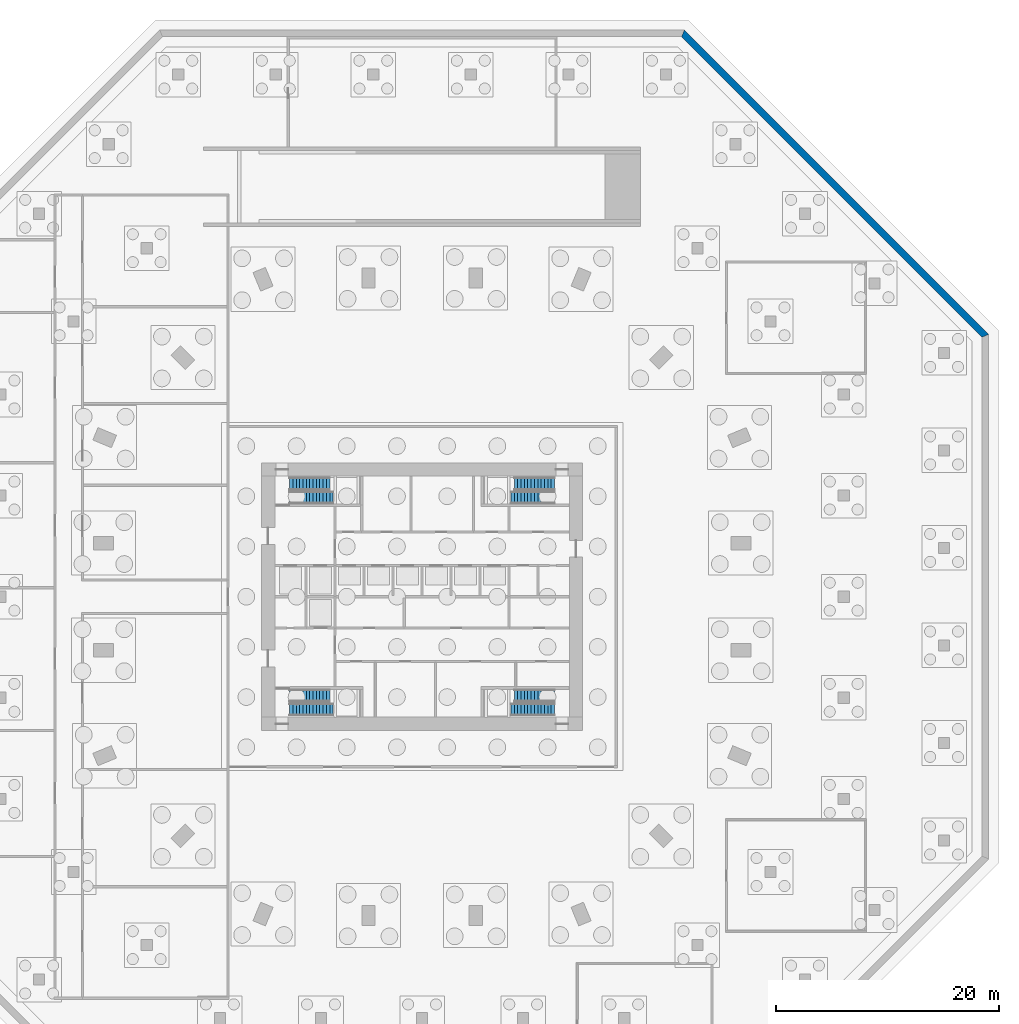
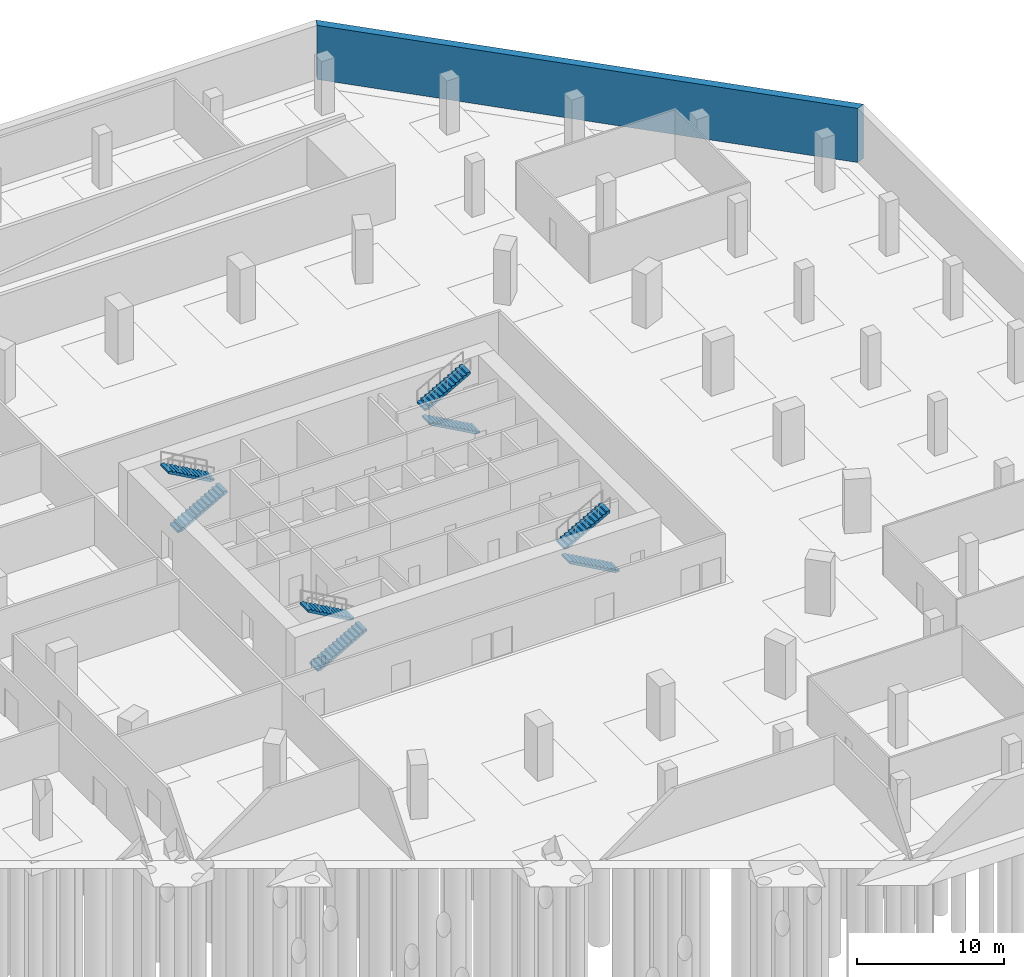
# One storey, part 12 of 14: 8 stair flights, 1 wall, 4 elements without a shape of their own.
"""IFC4 building model written with IfcOpenShell, lengths in metres."""

from ifc_helpers import new_model, si_unit, direction, frame, origin, place, context, subcontext, project, spatial, polyline, outline, extrude, material, layer, layer_set, type_object, element, aggregate, save


model = new_model("IFC4")

# Units and contexts
model_context = context("Model", 3, precision=1e-05, world=origin(), true_north=direction((0.0, 1.0)))
body_context = subcontext(model_context, "Body", "Model", "MODEL_VIEW")
ifc_project = project(units=[si_unit("LENGTHUNIT", "METRE"), si_unit("AREAUNIT", "SQUARE_METRE"), si_unit("VOLUMEUNIT", "CUBIC_METRE"), si_unit("PLANEANGLEUNIT", "RADIAN"), si_unit("MASSUNIT", "GRAM", prefix="KILO")], contexts=[model_context])

# Site, building, storey
site_placement = place(None, origin())
site = spatial("IfcSite", under=ifc_project, at=site_placement, CompositionType="ELEMENT")
building_placement = place(site_placement, origin())
building = spatial("IfcBuilding", under=site, at=building_placement, Name="Msitu Wima Residences", CompositionType="ELEMENT")
storey_placement = place(building_placement, frame((0.0, 0.0, -9.0)))
storey = spatial("IfcBuildingStorey", under=building, at=storey_placement, Name="B2", CompositionType="ELEMENT", Elevation=-9.0)

# Wall
ifc_material_1 = material(Name="Concrete C60/75", Category="concrete")
ifc_layer = layer(ifc_material_1, 0.60009765625)
ifc_layer_set = layer_set([ifc_layer], Name="Concrete C60/75")
wall_type = type_object("IfcWallType", Name="Retaining wall RW600", PredefinedType="SOLIDWALL", material=ifc_layer_set)
wall_placement = place(storey_placement, origin())
element("IfcWall", 1, at=wall_placement, inside=storey, type_object=wall_type, Name="Basement retaining wall NE B2", PredefinedType="SOLIDWALL", context=body_context, shape_type="SweptSolid", body=[
    extrude(outline(polyline([(50.800048828125, 23.5126953125), (23.5126953125, 50.800048828125), (23.26416015625, 50.199951171875), (50.199951171875, 23.26416015625), (50.800048828125, 23.5126953125)])), origin(), (0.0, 0.0, 1.0), 4.5),
])

# Stair, stair flights
ifc_material_2 = material(Name="Concrete C40/50", Category="concrete")
stair_type = type_object("IfcStairType", Name="Exit stair ES1667-110", PredefinedType="HALF_TURN_STAIR", material=ifc_material_2)
stair_1_placement = place(storey_placement, origin())
stair_1 = element("IfcStair", 2, at=stair_1_placement, inside=storey, type_object=stair_type, Name="Basement stair 1", PredefinedType="HALF_TURN_STAIR")
stair_flight_type = type_object("IfcStairFlightType", Name="Exit stair flight ES1667-110", PredefinedType="STRAIGHT", material=ifc_material_2)
stair_flight_1_placement = place(storey_placement, frame((-11.875, 8.875, 0.0), z_axis=(0.0, 0.0, 1.0), x_axis=(1.0, 0.0, 0.0)))
stair_flight_1 = element("IfcStairFlight", 3, at=stair_flight_1_placement, type_object=stair_flight_type, Name="BST1 flight 1", NumberOfRisers=14, NumberOfTreads=13, PredefinedType="STRAIGHT", RiserHeight=0.166666667, TreadLength=0.3, context=body_context, shape_type="SweptSolid", body=[
    extrude(outline(polyline([(0.0, 0.0), (0.0, 0.166748046875), (0.300048828125, 0.166748046875), (0.300048828125, 0.333251953125), (0.60009765625, 0.333251953125), (0.60009765625, 0.5), (0.89990234375, 0.5), (0.89990234375, 0.666748046875), (1.199951171875, 0.666748046875), (1.199951171875, 0.833251953125), (1.5, 0.833251953125), (1.5, 1.0), (1.800048828125, 1.0), (1.800048828125, 1.166748046875), (2.10009765625, 1.166748046875), (2.10009765625, 1.333251953125), (2.39990234375, 1.333251953125), (2.39990234375, 1.5), (2.699951171875, 1.5), (2.699951171875, 1.666748046875), (3.0, 1.666748046875), (3.0, 1.833251953125), (3.300048828125, 1.833251953125), (3.300048828125, 2.0), (3.60009765625, 2.0), (3.60009765625, 2.166748046875), (3.89990234375, 2.166748046875), (3.89990234375, 2.333251953125), (3.89990234375, 1.9951171875), (0.30859375, 0.0), (0.0, 0.0)])), frame((0.0, 0.550048828125, 0.0), z_axis=(0.0, -1.0, 0.0), x_axis=(1.0, 0.0, 0.0)), (0.0, 0.0, 1.0), 1.10009765625),
])
stair_flight_2_placement = place(storey_placement, frame((-8.27490234375, 10.125, 2.333251953125), z_axis=(0.0, 0.0, 1.0), x_axis=(-1.0, 0.0, 0.0)))
stair_flight_2 = element("IfcStairFlight", 4, at=stair_flight_2_placement, type_object=stair_flight_type, Name="BST1 flight 2", NumberOfRisers=13, NumberOfTreads=12, PredefinedType="STRAIGHT", RiserHeight=0.166666667, TreadLength=0.3, context=body_context, shape_type="SweptSolid", body=[
    extrude(outline(polyline([(0.0, 0.0), (0.0, 0.166748046875), (0.300048828125, 0.166748046875), (0.300048828125, 0.333251953125), (0.60009765625, 0.333251953125), (0.60009765625, 0.5), (0.89990234375, 0.5), (0.89990234375, 0.666748046875), (1.199951171875, 0.666748046875), (1.199951171875, 0.833251953125), (1.5, 0.833251953125), (1.5, 1.0), (1.800048828125, 1.0), (1.800048828125, 1.166748046875), (2.10009765625, 1.166748046875), (2.10009765625, 1.333251953125), (2.39990234375, 1.333251953125), (2.39990234375, 1.5), (2.699951171875, 1.5), (2.699951171875, 1.666748046875), (3.0, 1.666748046875), (3.0, 1.833251953125), (3.300048828125, 1.833251953125), (3.300048828125, 2.0), (3.60009765625, 2.0), (3.60009765625, 2.166748046875), (3.60009765625, 1.82861328125), (0.30859375, 0.0), (0.0, 0.0)])), frame((0.0, 0.550048828125, 0.0), z_axis=(0.0, -1.0, 0.0), x_axis=(1.0, 0.0, 0.0)), (0.0, 0.0, 1.0), 1.10009765625),
])
aggregate(stair_1, [stair_flight_1, stair_flight_2])

stair_2_placement = place(storey_placement, origin())
stair_2 = element("IfcStair", 5, at=stair_2_placement, inside=storey, type_object=stair_type, Name="Basement stair 2", PredefinedType="HALF_TURN_STAIR")
stair_flight_3_placement = place(storey_placement, frame((-11.875, -10.125, 0.0), z_axis=(0.0, 0.0, 1.0), x_axis=(1.0, 0.0, 0.0)))
stair_flight_3 = element("IfcStairFlight", 6, at=stair_flight_3_placement, type_object=stair_flight_type, Name="BST2 flight 1", NumberOfRisers=14, NumberOfTreads=13, PredefinedType="STRAIGHT", RiserHeight=0.166666667, TreadLength=0.3, context=body_context, shape_type="SweptSolid", body=[
    extrude(outline(polyline([(0.0, 0.0), (0.0, 0.166748046875), (0.300048828125, 0.166748046875), (0.300048828125, 0.333251953125), (0.60009765625, 0.333251953125), (0.60009765625, 0.5), (0.89990234375, 0.5), (0.89990234375, 0.666748046875), (1.199951171875, 0.666748046875), (1.199951171875, 0.833251953125), (1.5, 0.833251953125), (1.5, 1.0), (1.800048828125, 1.0), (1.800048828125, 1.166748046875), (2.10009765625, 1.166748046875), (2.10009765625, 1.333251953125), (2.39990234375, 1.333251953125), (2.39990234375, 1.5), (2.699951171875, 1.5), (2.699951171875, 1.666748046875), (3.0, 1.666748046875), (3.0, 1.833251953125), (3.300048828125, 1.833251953125), (3.300048828125, 2.0), (3.60009765625, 2.0), (3.60009765625, 2.166748046875), (3.89990234375, 2.166748046875), (3.89990234375, 2.333251953125), (3.89990234375, 1.9951171875), (0.30859375, 0.0), (0.0, 0.0)])), frame((0.0, 0.550048828125, 0.0), z_axis=(0.0, -1.0, 0.0), x_axis=(1.0, 0.0, 0.0)), (0.0, 0.0, 1.0), 1.10009765625),
])
stair_flight_4_placement = place(storey_placement, frame((-8.27490234375, -8.875, 2.333251953125), z_axis=(0.0, 0.0, 1.0), x_axis=(-1.0, 0.0, 0.0)))
stair_flight_4 = element("IfcStairFlight", 7, at=stair_flight_4_placement, type_object=stair_flight_type, Name="BST2 flight 2", NumberOfRisers=13, NumberOfTreads=12, PredefinedType="STRAIGHT", RiserHeight=0.166666667, TreadLength=0.3, context=body_context, shape_type="SweptSolid", body=[
    extrude(outline(polyline([(0.0, 0.0), (0.0, 0.166748046875), (0.300048828125, 0.166748046875), (0.300048828125, 0.333251953125), (0.60009765625, 0.333251953125), (0.60009765625, 0.5), (0.89990234375, 0.5), (0.89990234375, 0.666748046875), (1.199951171875, 0.666748046875), (1.199951171875, 0.833251953125), (1.5, 0.833251953125), (1.5, 1.0), (1.800048828125, 1.0), (1.800048828125, 1.166748046875), (2.10009765625, 1.166748046875), (2.10009765625, 1.333251953125), (2.39990234375, 1.333251953125), (2.39990234375, 1.5), (2.699951171875, 1.5), (2.699951171875, 1.666748046875), (3.0, 1.666748046875), (3.0, 1.833251953125), (3.300048828125, 1.833251953125), (3.300048828125, 2.0), (3.60009765625, 2.0), (3.60009765625, 2.166748046875), (3.60009765625, 1.82861328125), (0.30859375, 0.0), (0.0, 0.0)])), frame((0.0, 0.550048828125, 0.0), z_axis=(0.0, -1.0, 0.0), x_axis=(1.0, 0.0, 0.0)), (0.0, 0.0, 1.0), 1.10009765625),
])
aggregate(stair_2, [stair_flight_3, stair_flight_4])

stair_3_placement = place(storey_placement, origin())
stair_3 = element("IfcStair", 8, at=stair_3_placement, inside=storey, type_object=stair_type, Name="Basement stair 3", PredefinedType="HALF_TURN_STAIR")
stair_flight_5_placement = place(storey_placement, frame((11.875, 8.875, 0.0), z_axis=(0.0, 0.0, 1.0), x_axis=(-1.0, 0.0, 0.0)))
stair_flight_5 = element("IfcStairFlight", 9, at=stair_flight_5_placement, type_object=stair_flight_type, Name="BST3 flight 1", NumberOfRisers=14, NumberOfTreads=13, PredefinedType="STRAIGHT", RiserHeight=0.166666667, TreadLength=0.3, context=body_context, shape_type="SweptSolid", body=[
    extrude(outline(polyline([(0.0, 0.0), (0.0, 0.166748046875), (0.300048828125, 0.166748046875), (0.300048828125, 0.333251953125), (0.60009765625, 0.333251953125), (0.60009765625, 0.5), (0.89990234375, 0.5), (0.89990234375, 0.666748046875), (1.199951171875, 0.666748046875), (1.199951171875, 0.833251953125), (1.5, 0.833251953125), (1.5, 1.0), (1.800048828125, 1.0), (1.800048828125, 1.166748046875), (2.10009765625, 1.166748046875), (2.10009765625, 1.333251953125), (2.39990234375, 1.333251953125), (2.39990234375, 1.5), (2.699951171875, 1.5), (2.699951171875, 1.666748046875), (3.0, 1.666748046875), (3.0, 1.833251953125), (3.300048828125, 1.833251953125), (3.300048828125, 2.0), (3.60009765625, 2.0), (3.60009765625, 2.166748046875), (3.89990234375, 2.166748046875), (3.89990234375, 2.333251953125), (3.89990234375, 1.9951171875), (0.30859375, 0.0), (0.0, 0.0)])), frame((0.0, 0.550048828125, 0.0), z_axis=(0.0, -1.0, 0.0), x_axis=(1.0, 0.0, 0.0)), (0.0, 0.0, 1.0), 1.10009765625),
])
stair_flight_6_placement = place(storey_placement, frame((8.27490234375, 10.125, 2.333251953125), z_axis=(0.0, 0.0, 1.0), x_axis=(1.0, 0.0, 0.0)))
stair_flight_6 = element("IfcStairFlight", 10, at=stair_flight_6_placement, type_object=stair_flight_type, Name="BST3 flight 2", NumberOfRisers=13, NumberOfTreads=12, PredefinedType="STRAIGHT", RiserHeight=0.166666667, TreadLength=0.3, context=body_context, shape_type="SweptSolid", body=[
    extrude(outline(polyline([(0.0, 0.0), (0.0, 0.166748046875), (0.300048828125, 0.166748046875), (0.300048828125, 0.333251953125), (0.60009765625, 0.333251953125), (0.60009765625, 0.5), (0.89990234375, 0.5), (0.89990234375, 0.666748046875), (1.199951171875, 0.666748046875), (1.199951171875, 0.833251953125), (1.5, 0.833251953125), (1.5, 1.0), (1.800048828125, 1.0), (1.800048828125, 1.166748046875), (2.10009765625, 1.166748046875), (2.10009765625, 1.333251953125), (2.39990234375, 1.333251953125), (2.39990234375, 1.5), (2.699951171875, 1.5), (2.699951171875, 1.666748046875), (3.0, 1.666748046875), (3.0, 1.833251953125), (3.300048828125, 1.833251953125), (3.300048828125, 2.0), (3.60009765625, 2.0), (3.60009765625, 2.166748046875), (3.60009765625, 1.82861328125), (0.30859375, 0.0), (0.0, 0.0)])), frame((0.0, 0.550048828125, 0.0), z_axis=(0.0, -1.0, 0.0), x_axis=(1.0, 0.0, 0.0)), (0.0, 0.0, 1.0), 1.10009765625),
])
aggregate(stair_3, [stair_flight_5, stair_flight_6])

stair_4_placement = place(storey_placement, origin())
stair_4 = element("IfcStair", 11, at=stair_4_placement, inside=storey, type_object=stair_type, Name="Basement stair 4", PredefinedType="HALF_TURN_STAIR")
stair_flight_7_placement = place(storey_placement, frame((11.875, -10.125, 0.0), z_axis=(0.0, 0.0, 1.0), x_axis=(-1.0, 0.0, 0.0)))
stair_flight_7 = element("IfcStairFlight", 12, at=stair_flight_7_placement, type_object=stair_flight_type, Name="BST4 flight 1", NumberOfRisers=14, NumberOfTreads=13, PredefinedType="STRAIGHT", RiserHeight=0.166666667, TreadLength=0.3, context=body_context, shape_type="SweptSolid", body=[
    extrude(outline(polyline([(0.0, 0.0), (0.0, 0.166748046875), (0.300048828125, 0.166748046875), (0.300048828125, 0.333251953125), (0.60009765625, 0.333251953125), (0.60009765625, 0.5), (0.89990234375, 0.5), (0.89990234375, 0.666748046875), (1.199951171875, 0.666748046875), (1.199951171875, 0.833251953125), (1.5, 0.833251953125), (1.5, 1.0), (1.800048828125, 1.0), (1.800048828125, 1.166748046875), (2.10009765625, 1.166748046875), (2.10009765625, 1.333251953125), (2.39990234375, 1.333251953125), (2.39990234375, 1.5), (2.699951171875, 1.5), (2.699951171875, 1.666748046875), (3.0, 1.666748046875), (3.0, 1.833251953125), (3.300048828125, 1.833251953125), (3.300048828125, 2.0), (3.60009765625, 2.0), (3.60009765625, 2.166748046875), (3.89990234375, 2.166748046875), (3.89990234375, 2.333251953125), (3.89990234375, 1.9951171875), (0.30859375, 0.0), (0.0, 0.0)])), frame((0.0, 0.550048828125, 0.0), z_axis=(0.0, -1.0, 0.0), x_axis=(1.0, 0.0, 0.0)), (0.0, 0.0, 1.0), 1.10009765625),
])
stair_flight_8_placement = place(storey_placement, frame((8.27490234375, -8.875, 2.333251953125), z_axis=(0.0, 0.0, 1.0), x_axis=(1.0, 0.0, 0.0)))
stair_flight_8 = element("IfcStairFlight", 13, at=stair_flight_8_placement, type_object=stair_flight_type, Name="BST4 flight 2", NumberOfRisers=13, NumberOfTreads=12, PredefinedType="STRAIGHT", RiserHeight=0.166666667, TreadLength=0.3, context=body_context, shape_type="SweptSolid", body=[
    extrude(outline(polyline([(0.0, 0.0), (0.0, 0.166748046875), (0.300048828125, 0.166748046875), (0.300048828125, 0.333251953125), (0.60009765625, 0.333251953125), (0.60009765625, 0.5), (0.89990234375, 0.5), (0.89990234375, 0.666748046875), (1.199951171875, 0.666748046875), (1.199951171875, 0.833251953125), (1.5, 0.833251953125), (1.5, 1.0), (1.800048828125, 1.0), (1.800048828125, 1.166748046875), (2.10009765625, 1.166748046875), (2.10009765625, 1.333251953125), (2.39990234375, 1.333251953125), (2.39990234375, 1.5), (2.699951171875, 1.5), (2.699951171875, 1.666748046875), (3.0, 1.666748046875), (3.0, 1.833251953125), (3.300048828125, 1.833251953125), (3.300048828125, 2.0), (3.60009765625, 2.0), (3.60009765625, 2.166748046875), (3.60009765625, 1.82861328125), (0.30859375, 0.0), (0.0, 0.0)])), frame((0.0, 0.550048828125, 0.0), z_axis=(0.0, -1.0, 0.0), x_axis=(1.0, 0.0, 0.0)), (0.0, 0.0, 1.0), 1.10009765625),
])
aggregate(stair_4, [stair_flight_7, stair_flight_8])

save(model, "model.ifc")
